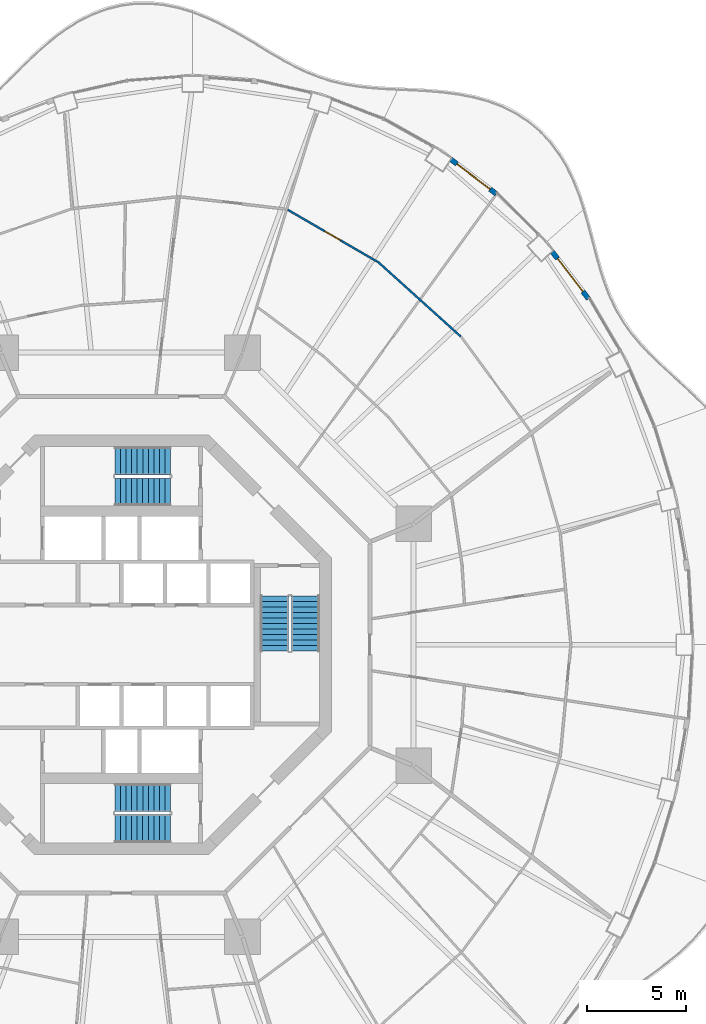
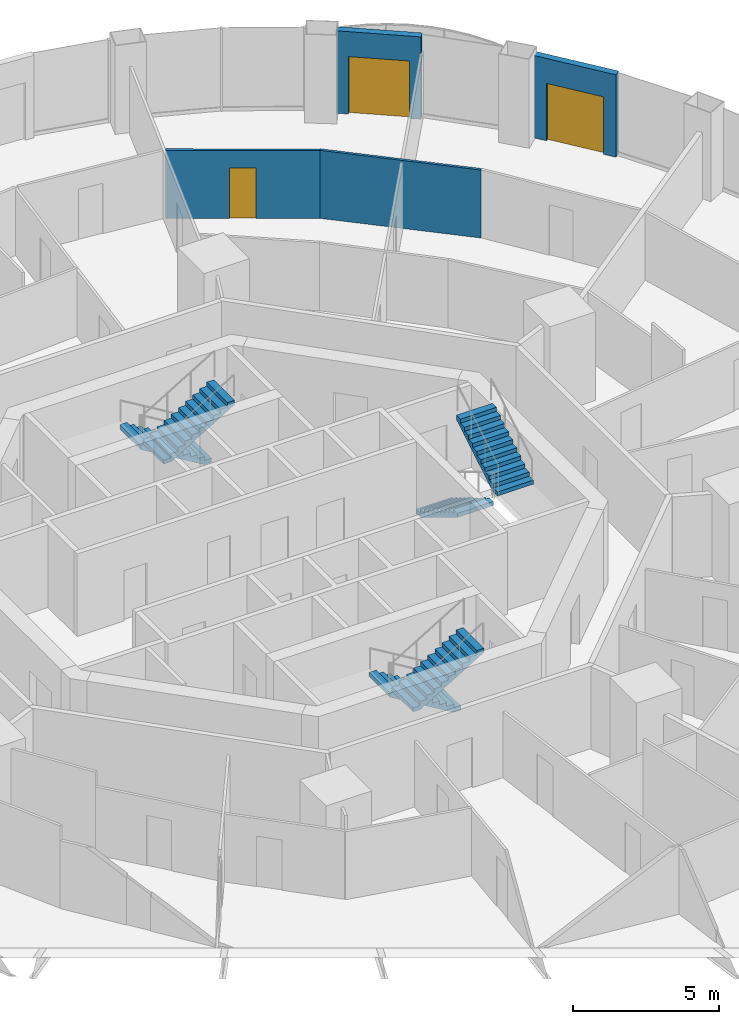
# One storey, part 16 of 19: 6 stair flights, 4 walls, 3 doors, 3 openings, 3 elements without a shape of their own.
"""IFC4 building model written with IfcOpenShell, lengths in metres."""

import ifcopenshell
import ifcopenshell.guid

model = None  # the IFC model being written
_history = None  # IfcOwnerHistory: only IFC2X3 demands one
_inside = {}  # id of a spatial element -> (the spatial element, [elements in it])
_under = {}  # id of a project, library or spatial element -> (it, [spatial elements below it])
_declared = {}  # id of a project -> (the project, [libraries it declares])
_typed = {}  # id of a type object -> (the type object, [elements of that type])
_made_of = {}  # id of a material, layer set ... -> (it, [elements and type objects made of it])


def new_model(schema):
    """Start an empty IFC model of exactly this schema.

    Asked for "IFC4X3", IfcOpenShell would pick the latest addendum, in which some entities
    have other attributes; the version numbers below select the first issue.
    IFC2X3 requires an IfcOwnerHistory on every rooted entity: one is made here for all.
    """
    global model, _history
    if schema == "IFC4X3":
        model = ifcopenshell.file(schema_version=(4, 3, 0, 0))
    else:
        model = ifcopenshell.file(schema=schema)
    _inside.clear()
    _under.clear()
    _declared.clear()
    _typed.clear()
    _made_of.clear()
    _history = None
    if model.schema == "IFC2X3":
        org = make("IfcOrganization", Name="unknown")
        user = make(
            "IfcPersonAndOrganization",
            ThePerson=make("IfcPerson", FamilyName="unknown"),
            TheOrganization=org,
        )
        app = make(
            "IfcApplication",
            ApplicationDeveloper=org,
            Version="unknown",
            ApplicationFullName="unknown",
            ApplicationIdentifier="unknown",
        )
        _history = make(
            "IfcOwnerHistory",
            OwningUser=user,
            OwningApplication=app,
            ChangeAction="ADDED",
            CreationDate=0,
        )
    return model


def make(cls, **values):
    """One entity of the class cls with the attributes given. An attribute that is None is left unset."""
    return model.create_entity(
        cls, **{name: value for name, value in values.items() if value is not None}
    )


def rooted(cls, **values):
    """An entity with a GlobalId (a new one), such as an element, a storey or a relation."""
    return make(cls, GlobalId=ifcopenshell.guid.new(), OwnerHistory=_history, **values)


def si_unit(unit_type, name, prefix=None):
    """IfcSIUnit, for example si_unit("LENGTHUNIT", "METRE", prefix="MILLI")."""
    return make("IfcSIUnit", UnitType=unit_type, Prefix=prefix, Name=name)


def assignment(units):
    """IfcUnitAssignment: the units of a project."""
    return None if units is None else make("IfcUnitAssignment", Units=units)


def point(xyz):
    """IfcCartesianPoint."""
    return None if xyz is None else make("IfcCartesianPoint", Coordinates=xyz)


def direction(xyz):
    """IfcDirection."""
    return None if xyz is None else make("IfcDirection", DirectionRatios=xyz)


def frame(location, z_axis=None, x_axis=None):
    """IfcAxis2Placement3D, a coordinate frame: its origin and axes. An axis left out is left unset."""
    return make(
        "IfcAxis2Placement3D",
        Location=point(location),
        Axis=direction(z_axis),
        RefDirection=direction(x_axis),
    )


def frame_2d(location, x_axis=None):
    """IfcAxis2Placement2D, a coordinate frame in the plane: its origin and x axis."""
    return make(
        "IfcAxis2Placement2D", Location=point(location), RefDirection=direction(x_axis)
    )


def origin():
    """The frame at (0, 0, 0) with its axes left unset."""
    return frame((0.0, 0.0, 0.0))


def place(relative_to, where):
    """IfcLocalPlacement: puts the frame where relative to a parent placement (None: the world)."""
    return make(
        "IfcLocalPlacement", PlacementRelTo=relative_to, RelativePlacement=where
    )


def context(
    kind, dimensions, precision=None, world=None, true_north=None, identifier=None
):
    """IfcGeometricRepresentationContext, for example the 3D "Model" context."""
    return make(
        "IfcGeometricRepresentationContext",
        ContextIdentifier=identifier,
        ContextType=kind,
        CoordinateSpaceDimension=dimensions,
        Precision=precision,
        WorldCoordinateSystem=world,
        TrueNorth=true_north,
    )


def subcontext(parent, identifier, kind, view, scale=None):
    """IfcGeometricRepresentationSubContext, for example "Body" below "Model"."""
    return make(
        "IfcGeometricRepresentationSubContext",
        ContextIdentifier=identifier,
        ContextType=kind,
        ParentContext=parent,
        TargetScale=scale,
        TargetView=view,
    )


def project(units=None, contexts=None):
    """IfcProject with its units and contexts."""
    return rooted(
        "IfcProject",
        Name="project",
        RepresentationContexts=contexts,
        UnitsInContext=assignment(units),
    )


def spatial(cls, under=None, at=None, **own):
    """A site, building, storey or space (cls), placed at a placement, below another one or the project."""
    s = rooted(cls, ObjectPlacement=at, **own)
    if under is not None:
        _under.setdefault(under.id(), (under, []))[1].append(s)
    return s


def polyline(points):
    """IfcPolyline through the points."""
    return make("IfcPolyline", Points=[point(p) for p in points])


def profile(cls, at=None, kind="AREA", **sizes):
    """A parametric profile (cls). Its sizes go by their IFC names, for example OverallWidth=200.0."""
    return make(cls, ProfileType=kind, Position=at, **sizes)


def rectangle(**sizes):
    """IfcRectangleProfileDef."""
    return profile("IfcRectangleProfileDef", **sizes)


def outline(outer, holes=None, kind="AREA"):
    """IfcArbitraryClosedProfileDef: a profile drawn as a closed curve; with holes, ...WithVoids."""
    if holes is None:
        return make("IfcArbitraryClosedProfileDef", ProfileType=kind, OuterCurve=outer)
    return make(
        "IfcArbitraryProfileDefWithVoids",
        ProfileType=kind,
        OuterCurve=outer,
        InnerCurves=holes,
    )


def extrude(swept, where, along, depth):
    """IfcExtrudedAreaSolid: the profile swept, set in the frame where, extruded along a direction by depth."""
    return make(
        "IfcExtrudedAreaSolid",
        SweptArea=swept,
        Position=where,
        ExtrudedDirection=direction(along),
        Depth=depth,
    )


def shape(context_of_items, identifier, shape_type, items):
    """IfcShapeRepresentation: the items that make up one representation, for example the "Body"."""
    return make(
        "IfcShapeRepresentation",
        ContextOfItems=context_of_items,
        RepresentationIdentifier=identifier,
        RepresentationType=shape_type,
        Items=items,
    )


def material(Name=None, Category=None):
    """IfcMaterial."""
    return make("IfcMaterial", Name=Name, Category=Category)


def layer(
    of_material, thickness, ventilated=None, Name=None, Category=None, Priority=None
):
    """IfcMaterialLayer: one layer of a wall or slab, of a material (None: an air gap)."""
    return make(
        "IfcMaterialLayer",
        Material=of_material,
        LayerThickness=thickness,
        IsVentilated=ventilated,
        Name=Name,
        Category=Category,
        Priority=Priority,
    )


def layer_set(layers, Name=None):
    """IfcMaterialLayerSet."""
    return make("IfcMaterialLayerSet", MaterialLayers=layers, LayerSetName=Name)


def made_of(thing, what):
    """Note that an element or type object is made of a material, layer set ...; save() writes the relation."""
    if what is not None:
        _made_of.setdefault(what.id(), (what, []))[1].append(thing)
    return thing


def type_object(cls, material=None, **own):
    """A type object (cls), such as IfcWallType, which elements share."""
    return made_of(rooted(cls, **own), material)


def element(
    cls,
    number,
    at=None,
    inside=None,
    cuts=None,
    type_object=None,
    material=None,
    context=None,
    identifier="Body",
    shape_type=None,
    held_by="IfcProductDefinitionShape",
    body=None,
    shapes=None,
    **own,
):
    """One element of the class cls, such as IfcWall. Its Tag is "e" and its number.

    at: its placement. inside: the storey or other place that contains it. cuts: it is an
    opening in that element (IfcRelVoidsElement). A single representation is given by context,
    identifier, shape_type and body (its items); several are given by shapes. held_by: the class
    of the entity that holds the representations. save() writes the other relations.
    """
    e = rooted(cls, Tag="e%d" % number, ObjectPlacement=at, **own)
    if body is not None:
        shapes = [shape(context, identifier, shape_type, body)]
    if shapes is not None:
        e.Representation = make(held_by, Representations=shapes)
    if inside is not None:
        _inside.setdefault(inside.id(), (inside, []))[1].append(e)
    if cuts is not None:
        rooted(
            "IfcRelVoidsElement", RelatingBuildingElement=cuts, RelatedOpeningElement=e
        )
    if type_object is not None:
        _typed.setdefault(type_object.id(), (type_object, []))[1].append(e)
    return made_of(e, material)


def fill(opening, filler):
    """IfcRelFillsElement: the door or window that sits in an opening."""
    return rooted(
        "IfcRelFillsElement",
        RelatingOpeningElement=opening,
        RelatedBuildingElement=filler,
    )


def aggregate(whole, parts):
    """IfcRelAggregates: a whole, such as a stair, and the parts it consists of."""
    return rooted("IfcRelAggregates", RelatingObject=whole, RelatedObjects=parts)


def save(model, path):
    """Write the relations noted so far, then the file.

    IfcRelAggregates (storeys below a building ...), IfcRelContainedInSpatialStructure (elements
    in a storey), IfcRelDefinesByType, IfcRelAssociatesMaterial and IfcRelDeclares: one each for
    every whole, place, type object, material and project.
    """
    for whole, parts in _under.values():
        aggregate(whole, parts)
    for where, things in _inside.values():
        rooted(
            "IfcRelContainedInSpatialStructure",
            RelatedElements=things,
            RelatingStructure=where,
        )
    for kind, things in _typed.values():
        rooted("IfcRelDefinesByType", RelatedObjects=things, RelatingType=kind)
    for what, things in _made_of.values():
        rooted("IfcRelAssociatesMaterial", RelatedObjects=things, RelatingMaterial=what)
    for by, libraries in _declared.values():
        rooted("IfcRelDeclares", RelatingContext=by, RelatedDefinitions=libraries)
    model.write(path)


model = new_model("IFC4")

# Units and contexts
model_context = context("Model", 3, precision=1e-05, world=origin(), true_north=direction((0.0, 1.0)))
body_context = subcontext(model_context, "Body", "Model", "MODEL_VIEW")
ifc_project = project(units=[si_unit("LENGTHUNIT", "METRE"), si_unit("AREAUNIT", "SQUARE_METRE"), si_unit("VOLUMEUNIT", "CUBIC_METRE"), si_unit("PLANEANGLEUNIT", "RADIAN"), si_unit("MASSUNIT", "GRAM", prefix="KILO")], contexts=[model_context])

# Site, building, storey
site_placement = place(None, origin())
site = spatial("IfcSite", under=ifc_project, at=site_placement, CompositionType="ELEMENT")
building_placement = place(site_placement, origin())
building = spatial("IfcBuilding", under=site, at=building_placement, Name="Nagisa Residences", CompositionType="ELEMENT")
storey_placement = place(building_placement, frame((0.0, 0.0, 191.800048828125)))
storey = spatial("IfcBuildingStorey", under=building, at=storey_placement, Name="L48", CompositionType="ELEMENT", Elevation=191.800048828125)

# Wall
ifc_material_1 = material(Name="Gypsum board on steel studs", Category="steel")
ifc_layer_1 = layer(ifc_material_1, 0.10009765625)
ifc_layer_set_1 = layer_set([ifc_layer_1], Name="Apartment partition 100")
wall_type_1 = type_object("IfcWallType", Name="Apartment partition 100", PredefinedType="PARTITIONING", material=ifc_layer_set_1)
wall_1_placement = place(storey_placement, frame((17.16162109375, 15.6025390625, 0.0), z_axis=(0.0, 0.0, 1.0), x_axis=(-0.742768881471, 0.669547898748, 0.0)))
element("IfcWall", 1, at=wall_1_placement, inside=storey, type_object=wall_type_1, Name="wall:L48:u28", PredefinedType="PARTITIONING", context=body_context, shape_type="SweptSolid", body=[
    extrude(rectangle(XDim=5.6416015625, YDim=0.10009765625, at=frame_2d((2.82080078125, 0.0))), origin(), (0.0, 0.0, 1.0), 2.8369140625),
])

# Wall, opening, door
wall_2_placement = place(storey_placement, frame((12.965087890625, 19.371337890625, 0.0), z_axis=(0.0, 0.0, 1.0), x_axis=(-0.865277177388, 0.501293732547, 0.0)))
wall_2 = element("IfcWall", 2, at=wall_2_placement, inside=storey, type_object=wall_type_1, Name="wall:L48:u31", PredefinedType="PARTITIONING", context=body_context, shape_type="SweptSolid", body=[
    extrude(rectangle(XDim=5.27001953125, YDim=0.10009765625, at=frame_2d((2.635009765625, 0.0))), origin(), (0.0, 0.0, 1.0), 2.8369140625),
])
opening_1_placement = place(wall_2_placement, frame((2.18505859375, 0.0, 0.0)))
opening_1 = element("IfcOpeningElement", 3, at=opening_1_placement, cuts=wall_2, Name="Opening L48-U37", PredefinedType="OPENING", context=body_context, shape_type="SweptSolid", body=[
    extrude(rectangle(XDim=0.89990234375, YDim=2.10009765625, at=frame_2d((0.449951171875, 1.050048828125))), frame((0.0, 0.06005859375, 0.0), z_axis=(0.0, -1.0, 0.0), x_axis=(1.0, 0.0, 0.0)), (0.0, 0.0, 1.0), 0.1201171875),
])
ifc_material_2 = material(Name="Timber door set", Category="wood")
door_type_1 = type_object("IfcDoorType", Name="Apartment door 900x2100", OperationType="NOTDEFINED", PredefinedType="DOOR", material=ifc_material_2)
door_1_placement = place(opening_1_placement, frame((0.89990234375, 0.0, 0.0), x_axis=(-1.0, 0.0, 0.0)))
door_1 = element("IfcDoor", 4, at=door_1_placement, inside=storey, type_object=door_type_1, Name="Door to master bedroom, Apartment 48D", OperationType="SINGLE_SWING_RIGHT", OverallHeight=2.10009765625, OverallWidth=0.89990234375, PredefinedType="DOOR", context=body_context, shape_type="SweptSolid", body=[
    extrude(rectangle(XDim=0.89990234375, YDim=2.10009765625, at=frame_2d((0.449951171875, 1.050048828125))), frame((0.0, 0.02490234375, 0.0), z_axis=(0.0, -1.0, 0.0), x_axis=(1.0, 0.0, 0.0)), (0.0, 0.0, 1.0), 0.050048828125),
])
fill(opening_1, door_1)

ifc_material_3 = material(Name="Precast concrete C40/50", Category="concrete")
ifc_layer_2 = layer(ifc_material_3, 0.25)
ifc_layer_set_2 = layer_set([ifc_layer_2], Name="BALCONY DOOR WALL 250")
wall_type_2 = type_object("IfcWallType", Name="BALCONY DOOR WALL 250", PredefinedType="SOLIDWALL", material=ifc_layer_set_2)
wall_3_placement = place(storey_placement, frame((21.779541015625, 19.90576171875, 0.0), z_axis=(0.0, 0.0, 1.0), x_axis=(0.610437428894, -0.79206448311, 0.0)))
wall_3 = element("IfcWall", 5, at=wall_3_placement, inside=storey, type_object=wall_type_2, Name="wall:L48:bay05", PredefinedType="SOLIDWALL", context=body_context, shape_type="SweptSolid", body=[
    extrude(rectangle(XDim=3.03515625, YDim=0.25, at=frame_2d((1.517578125, 0.0))), origin(), (0.0, 0.0, 1.0), 3.43994140625),
])
opening_2_placement = place(wall_3_placement, frame((0.467529296875, 0.0, 0.0)))
opening_2 = element("IfcOpeningElement", 6, at=opening_2_placement, cuts=wall_3, Name="Opening BD-L48-02", PredefinedType="OPENING", context=body_context, shape_type="SweptSolid", body=[
    extrude(rectangle(XDim=2.10009765625, YDim=2.39990234375, at=frame_2d((1.050048828125, 1.199951171875))), frame((0.0, 0.135009765625, 0.0), z_axis=(0.0, -1.0, 0.0), x_axis=(1.0, 0.0, 0.0)), (0.0, 0.0, 1.0), 0.27001953125),
])
ifc_material_4 = material(Name="Aluminium and clear glass", Category="aluminium")
door_type_2 = type_object("IfcDoorType", Name="BALCONY SLIDING DOOR 2100x2400", OperationType="SLIDING_TO_LEFT", PredefinedType="DOOR", material=ifc_material_4)
door_2_placement = place(opening_2_placement, origin())
door_2 = element("IfcDoor", 7, at=door_2_placement, inside=storey, type_object=door_type_2, Name="door:L48:bay05", OperationType="SLIDING_TO_LEFT", OverallHeight=2.39990234375, OverallWidth=2.10009765625, PredefinedType="DOOR", context=body_context, shape_type="SweptSolid", body=[
    extrude(rectangle(XDim=2.10009765625, YDim=2.39990234375, at=frame_2d((1.050048828125, 1.199951171875))), frame((0.0, 0.02490234375, 0.0), z_axis=(0.0, -1.0, 0.0), x_axis=(1.0, 0.0, 0.0)), (0.0, 0.0, 1.0), 0.050048828125),
])
fill(opening_2, door_2)

wall_4_placement = place(storey_placement, frame((16.649658203125, 24.573974609375, 0.0), z_axis=(0.0, 0.0, 1.0), x_axis=(0.796055733703, -0.60522332146, 0.0)))
wall_4 = element("IfcWall", 8, at=wall_4_placement, inside=storey, type_object=wall_type_2, Name="wall:L48:bay07", PredefinedType="SOLIDWALL", context=body_context, shape_type="SweptSolid", body=[
    extrude(rectangle(XDim=2.9169921875, YDim=0.25, at=frame_2d((1.45849609375, 0.0))), origin(), (0.0, 0.0, 1.0), 3.43994140625),
])
opening_3_placement = place(wall_4_placement, frame((0.408447265625, 0.0, 0.0)))
opening_3 = element("IfcOpeningElement", 9, at=opening_3_placement, cuts=wall_4, Name="Opening BD-L48-03", PredefinedType="OPENING", context=body_context, shape_type="SweptSolid", body=[
    extrude(rectangle(XDim=2.10009765625, YDim=2.39990234375, at=frame_2d((1.050048828125, 1.199951171875))), frame((0.0, 0.135009765625, 0.0), z_axis=(0.0, -1.0, 0.0), x_axis=(1.0, 0.0, 0.0)), (0.0, 0.0, 1.0), 0.27001953125),
])
door_3_placement = place(opening_3_placement, origin())
door_3 = element("IfcDoor", 10, at=door_3_placement, inside=storey, type_object=door_type_2, Name="door:L48:bay07", OperationType="SLIDING_TO_LEFT", OverallHeight=2.39990234375, OverallWidth=2.10009765625, PredefinedType="DOOR", context=body_context, shape_type="SweptSolid", body=[
    extrude(rectangle(XDim=2.10009765625, YDim=2.39990234375, at=frame_2d((1.050048828125, 1.199951171875))), frame((0.0, 0.02490234375, 0.0), z_axis=(0.0, -1.0, 0.0), x_axis=(1.0, 0.0, 0.0)), (0.0, 0.0, 1.0), 0.050048828125),
])
fill(opening_3, door_3)

# Stair, stair flights
ifc_material_5 = material(Name="Concrete C60", Category="concrete")
stair_type = type_object("IfcStairType", Name="Exit stair", PredefinedType="HALF_TURN_STAIR", material=ifc_material_5)
stair_1_placement = place(storey_placement, origin())
stair_1 = element("IfcStair", 11, at=stair_1_placement, inside=storey, type_object=stair_type, Name="L48 Exit stair E", PredefinedType="HALF_TURN_STAIR")
ifc_material_6 = material(Name="Concrete C60", Category="concrete")
stair_flight_type = type_object("IfcStairFlightType", Name="Exit stair flight", PredefinedType="STRAIGHT", material=ifc_material_6)
stair_flight_1_placement = place(storey_placement, frame((7.737060546875, 2.47509765625, 0.0), z_axis=(0.0, 0.0, 1.0), x_axis=(0.0, -1.0, 0.0)))
stair_flight_1 = element("IfcStairFlight", 12, at=stair_flight_1_placement, type_object=stair_flight_type, Name="ST-E flight 1", NumberOfRisers=11, NumberOfTreads=10, PredefinedType="STRAIGHT", RiserHeight=0.168181818, TreadLength=0.28, context=body_context, shape_type="SweptSolid", body=[
    extrude(outline(polyline([(0.0, 0.0), (0.0, 0.168212890625), (0.280029296875, 0.168212890625), (0.280029296875, 0.33642578125), (0.56005859375, 0.33642578125), (0.56005859375, 0.504638671875), (0.840087890625, 0.504638671875), (0.840087890625, 0.672607421875), (1.1201171875, 0.672607421875), (1.1201171875, 0.8408203125), (1.39990234375, 0.8408203125), (1.39990234375, 1.009033203125), (1.679931640625, 1.009033203125), (1.679931640625, 1.17724609375), (1.9599609375, 1.17724609375), (1.9599609375, 1.345458984375), (2.239990234375, 1.345458984375), (2.239990234375, 1.513671875), (2.52001953125, 1.513671875), (2.52001953125, 1.681884765625), (2.800048828125, 1.681884765625), (2.800048828125, 1.85009765625), (2.800048828125, 1.5068359375), (0.291015625, 0.0), (0.0, 0.0)])), frame((0.0, 0.71240234375, 0.0), z_axis=(0.0, -1.0, 0.0), x_axis=(1.0, 0.0, 0.0)), (0.0, 0.0, 1.0), 1.425048828125),
])
stair_flight_2_placement = place(storey_placement, frame((9.31201171875, -0.324951171875, 1.849853515625), z_axis=(0.0, 0.0, 1.0), x_axis=(0.0, 1.0, 0.0)))
stair_flight_2 = element("IfcStairFlight", 13, at=stair_flight_2_placement, type_object=stair_flight_type, Name="ST-E flight 2", NumberOfRisers=11, NumberOfTreads=10, PredefinedType="STRAIGHT", RiserHeight=0.168181818, TreadLength=0.28, context=body_context, shape_type="SweptSolid", body=[
    extrude(outline(polyline([(0.0, 0.0), (0.0, 0.168212890625), (0.280029296875, 0.168212890625), (0.280029296875, 0.33642578125), (0.56005859375, 0.33642578125), (0.56005859375, 0.504638671875), (0.840087890625, 0.504638671875), (0.840087890625, 0.672607421875), (1.1201171875, 0.672607421875), (1.1201171875, 0.8408203125), (1.39990234375, 0.8408203125), (1.39990234375, 1.009033203125), (1.679931640625, 1.009033203125), (1.679931640625, 1.17724609375), (1.9599609375, 1.17724609375), (1.9599609375, 1.345458984375), (2.239990234375, 1.345458984375), (2.239990234375, 1.513671875), (2.52001953125, 1.513671875), (2.52001953125, 1.681884765625), (2.800048828125, 1.681884765625), (2.800048828125, 1.85009765625), (2.800048828125, 1.5068359375), (0.291015625, 0.0), (0.0, 0.0)])), frame((0.0, 0.71240234375, 0.0), z_axis=(0.0, -1.0, 0.0), x_axis=(1.0, 0.0, 0.0)), (0.0, 0.0, 1.0), 1.425048828125),
])
aggregate(stair_1, [stair_flight_1, stair_flight_2])

stair_2_placement = place(storey_placement, origin())
stair_2 = element("IfcStair", 14, at=stair_2_placement, inside=storey, type_object=stair_type, Name="L48 Exit stair N", PredefinedType="HALF_TURN_STAIR")
stair_flight_3_placement = place(storey_placement, frame((2.47509765625, 9.31201171875, 0.0), z_axis=(0.0, 0.0, 1.0), x_axis=(-1.0, 0.0, 0.0)))
stair_flight_3 = element("IfcStairFlight", 15, at=stair_flight_3_placement, type_object=stair_flight_type, Name="ST-N flight 1", NumberOfRisers=11, NumberOfTreads=10, PredefinedType="STRAIGHT", RiserHeight=0.168181818, TreadLength=0.28, context=body_context, shape_type="SweptSolid", body=[
    extrude(outline(polyline([(0.0, 0.0), (0.0, 0.168212890625), (0.280029296875, 0.168212890625), (0.280029296875, 0.33642578125), (0.56005859375, 0.33642578125), (0.56005859375, 0.504638671875), (0.840087890625, 0.504638671875), (0.840087890625, 0.672607421875), (1.1201171875, 0.672607421875), (1.1201171875, 0.8408203125), (1.39990234375, 0.8408203125), (1.39990234375, 1.009033203125), (1.679931640625, 1.009033203125), (1.679931640625, 1.17724609375), (1.9599609375, 1.17724609375), (1.9599609375, 1.345458984375), (2.239990234375, 1.345458984375), (2.239990234375, 1.513671875), (2.52001953125, 1.513671875), (2.52001953125, 1.681884765625), (2.800048828125, 1.681884765625), (2.800048828125, 1.85009765625), (2.800048828125, 1.5068359375), (0.291015625, 0.0), (0.0, 0.0)])), frame((0.0, 0.71240234375, 0.0), z_axis=(0.0, -1.0, 0.0), x_axis=(1.0, 0.0, 0.0)), (0.0, 0.0, 1.0), 1.425048828125),
])
stair_flight_4_placement = place(storey_placement, frame((-0.324951171875, 7.737060546875, 1.849853515625), z_axis=(0.0, 0.0, 1.0), x_axis=(1.0, 0.0, 0.0)))
stair_flight_4 = element("IfcStairFlight", 16, at=stair_flight_4_placement, type_object=stair_flight_type, Name="ST-N flight 2", NumberOfRisers=11, NumberOfTreads=10, PredefinedType="STRAIGHT", RiserHeight=0.168181818, TreadLength=0.28, context=body_context, shape_type="SweptSolid", body=[
    extrude(outline(polyline([(0.0, 0.0), (0.0, 0.168212890625), (0.280029296875, 0.168212890625), (0.280029296875, 0.33642578125), (0.56005859375, 0.33642578125), (0.56005859375, 0.504638671875), (0.840087890625, 0.504638671875), (0.840087890625, 0.672607421875), (1.1201171875, 0.672607421875), (1.1201171875, 0.8408203125), (1.39990234375, 0.8408203125), (1.39990234375, 1.009033203125), (1.679931640625, 1.009033203125), (1.679931640625, 1.17724609375), (1.9599609375, 1.17724609375), (1.9599609375, 1.345458984375), (2.239990234375, 1.345458984375), (2.239990234375, 1.513671875), (2.52001953125, 1.513671875), (2.52001953125, 1.681884765625), (2.800048828125, 1.681884765625), (2.800048828125, 1.85009765625), (2.800048828125, 1.5068359375), (0.291015625, 0.0), (0.0, 0.0)])), frame((0.0, 0.71240234375, 0.0), z_axis=(0.0, -1.0, 0.0), x_axis=(1.0, 0.0, 0.0)), (0.0, 0.0, 1.0), 1.425048828125),
])
aggregate(stair_2, [stair_flight_3, stair_flight_4])

stair_3_placement = place(storey_placement, origin())
stair_3 = element("IfcStair", 17, at=stair_3_placement, inside=storey, type_object=stair_type, Name="L48 Exit stair S", PredefinedType="HALF_TURN_STAIR")
stair_flight_5_placement = place(storey_placement, frame((2.47509765625, -7.737060546875, 0.0), z_axis=(0.0, 0.0, 1.0), x_axis=(-1.0, 0.0, 0.0)))
stair_flight_5 = element("IfcStairFlight", 18, at=stair_flight_5_placement, type_object=stair_flight_type, Name="ST-S flight 1", NumberOfRisers=11, NumberOfTreads=10, PredefinedType="STRAIGHT", RiserHeight=0.168181818, TreadLength=0.28, context=body_context, shape_type="SweptSolid", body=[
    extrude(outline(polyline([(0.0, 0.0), (0.0, 0.168212890625), (0.280029296875, 0.168212890625), (0.280029296875, 0.33642578125), (0.56005859375, 0.33642578125), (0.56005859375, 0.504638671875), (0.840087890625, 0.504638671875), (0.840087890625, 0.672607421875), (1.1201171875, 0.672607421875), (1.1201171875, 0.8408203125), (1.39990234375, 0.8408203125), (1.39990234375, 1.009033203125), (1.679931640625, 1.009033203125), (1.679931640625, 1.17724609375), (1.9599609375, 1.17724609375), (1.9599609375, 1.345458984375), (2.239990234375, 1.345458984375), (2.239990234375, 1.513671875), (2.52001953125, 1.513671875), (2.52001953125, 1.681884765625), (2.800048828125, 1.681884765625), (2.800048828125, 1.85009765625), (2.800048828125, 1.5068359375), (0.291015625, 0.0), (0.0, 0.0)])), frame((0.0, 0.71240234375, 0.0), z_axis=(0.0, -1.0, 0.0), x_axis=(1.0, 0.0, 0.0)), (0.0, 0.0, 1.0), 1.425048828125),
])
stair_flight_6_placement = place(storey_placement, frame((-0.324951171875, -9.31201171875, 1.849853515625), z_axis=(0.0, 0.0, 1.0), x_axis=(1.0, 0.0, 0.0)))
stair_flight_6 = element("IfcStairFlight", 19, at=stair_flight_6_placement, type_object=stair_flight_type, Name="ST-S flight 2", NumberOfRisers=11, NumberOfTreads=10, PredefinedType="STRAIGHT", RiserHeight=0.168181818, TreadLength=0.28, context=body_context, shape_type="SweptSolid", body=[
    extrude(outline(polyline([(0.0, 0.0), (0.0, 0.168212890625), (0.280029296875, 0.168212890625), (0.280029296875, 0.33642578125), (0.56005859375, 0.33642578125), (0.56005859375, 0.504638671875), (0.840087890625, 0.504638671875), (0.840087890625, 0.672607421875), (1.1201171875, 0.672607421875), (1.1201171875, 0.8408203125), (1.39990234375, 0.8408203125), (1.39990234375, 1.009033203125), (1.679931640625, 1.009033203125), (1.679931640625, 1.17724609375), (1.9599609375, 1.17724609375), (1.9599609375, 1.345458984375), (2.239990234375, 1.345458984375), (2.239990234375, 1.513671875), (2.52001953125, 1.513671875), (2.52001953125, 1.681884765625), (2.800048828125, 1.681884765625), (2.800048828125, 1.85009765625), (2.800048828125, 1.5068359375), (0.291015625, 0.0), (0.0, 0.0)])), frame((0.0, 0.71240234375, 0.0), z_axis=(0.0, -1.0, 0.0), x_axis=(1.0, 0.0, 0.0)), (0.0, 0.0, 1.0), 1.425048828125),
])
aggregate(stair_3, [stair_flight_5, stair_flight_6])

save(model, "model.ifc")
